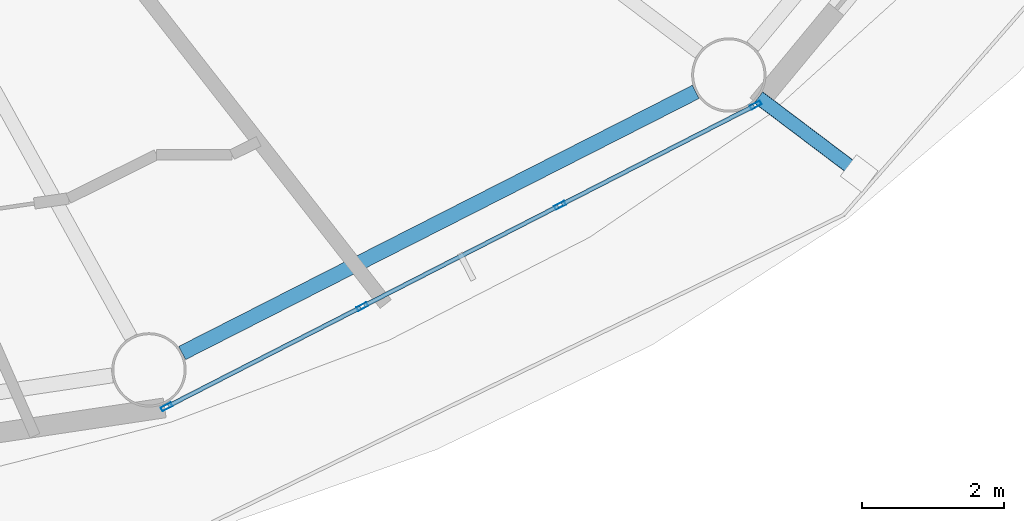
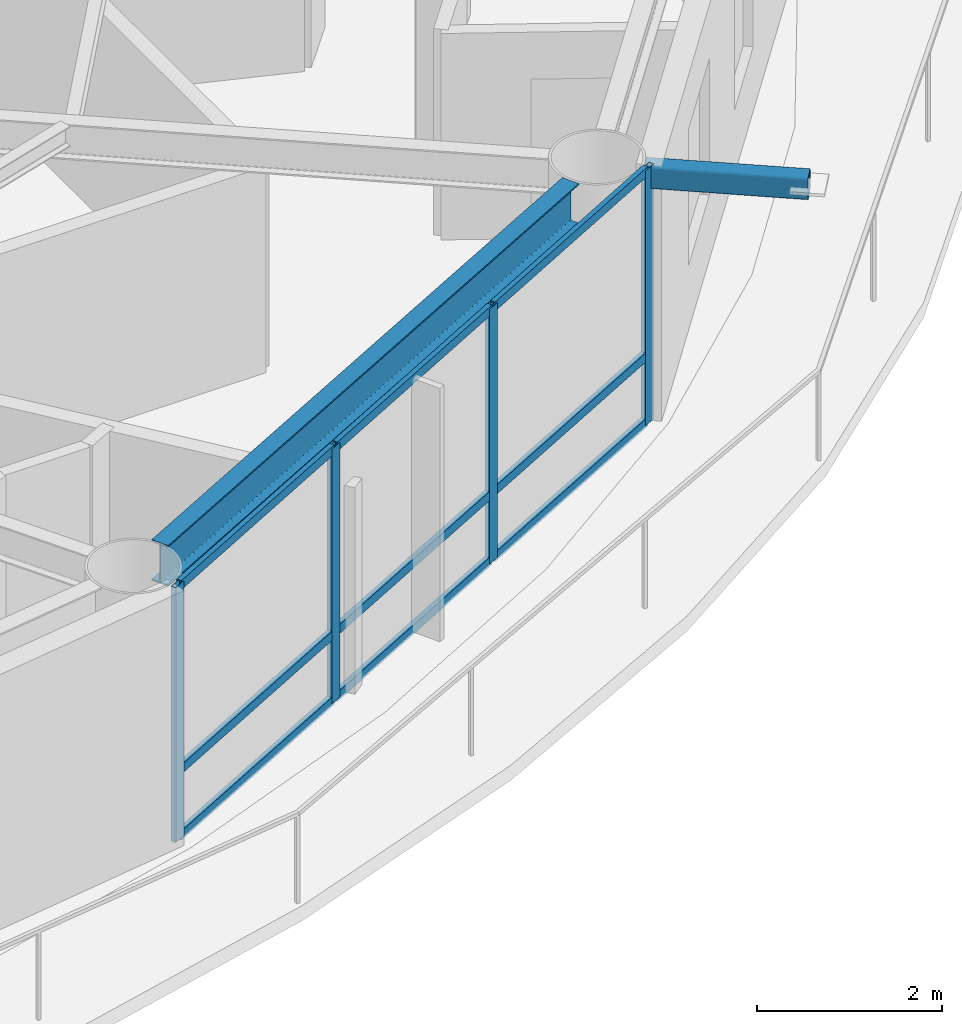
# One storey, part 5 of 23: 14 members, 1 beam, 1 element without a shape of its own.
"""IFC4 building model written with IfcOpenShell, lengths in metres."""

from ifc_helpers import new_model, si_unit, direction, frame, origin, origin_2d, place, context, subcontext, project, spatial, hollow_rectangle, i_section, extrude, material, layer, layer_set, material_profile, profile_set, type_object, element, aggregate, save


model = new_model("IFC4")

# Units and contexts
model_context = context("Model", 3, precision=1e-05, world=origin(), true_north=direction((0.0, 1.0)))
body_context = subcontext(model_context, "Body", "Model", "MODEL_VIEW")
ifc_project = project(units=[si_unit("LENGTHUNIT", "METRE"), si_unit("AREAUNIT", "SQUARE_METRE"), si_unit("VOLUMEUNIT", "CUBIC_METRE"), si_unit("PLANEANGLEUNIT", "RADIAN"), si_unit("MASSUNIT", "GRAM", prefix="KILO")], contexts=[model_context])

# Site, building, storey
site_placement = place(None, origin())
site = spatial("IfcSite", under=ifc_project, at=site_placement, CompositionType="ELEMENT")
building_placement = place(site_placement, origin())
building = spatial("IfcBuilding", under=site, at=building_placement, Name="Sarneth Arch Tower", CompositionType="ELEMENT")
storey_placement = place(building_placement, frame((0.0, 0.0, 242.39990234375)))
storey = spatial("IfcBuildingStorey", under=building, at=storey_placement, Name="L62", CompositionType="ELEMENT", Elevation=242.39990234375)

# Beam
ifc_material_1 = material(Name="Steel S355", Category="steel")
ifc_material_profile_1 = material_profile(ifc_material_1, i_section(OverallWidth=0.2109375, OverallDepth=0.5390625, WebThickness=0.01171875, FlangeThickness=0.018798828125, FilletRadius=0.01806640625, at=origin_2d()), Name="W530x109")
ifc_profile_set_1 = profile_set([ifc_material_profile_1], Name="Steel S355")
beam_type = type_object("IfcBeamType", Name="BM-RAD-530B", PredefinedType="BEAM", material=ifc_profile_set_1)
beam_placement = place(storey_placement, frame((58.2587890625, 24.49951171875, 3.090576171875), z_axis=(0.891368271482, 0.453279830342, 0.0), x_axis=(-0.453279830342, 0.891368271482, 0.0)))
element("IfcBeam", 1, at=beam_placement, inside=storey, type_object=beam_type, Name="L62 Perimeter spandrel beam 14", PredefinedType="BEAM", context=body_context, shape_type="SweptSolid", body=[
    extrude(i_section(OverallWidth=0.2109375, OverallDepth=0.5390625, WebThickness=0.01171875, FlangeThickness=0.018798828125, FilletRadius=0.01806640625, at=origin_2d()), origin(), (0.0, 0.0, 1.0), 8.1318359375),
])

# Curtain wall, members
ifc_material_2 = material(Name="Anodised aluminium Type AA25 and solar-control low-e laminated IGU", Category="aluminium")
ifc_layer = layer(ifc_material_2, 0.179931640625)
ifc_layer_set = layer_set([ifc_layer], Name="Anodised aluminium Type AA25 and solar-control low-e laminated IGU")
curtain_wall_type = type_object("IfcCurtainWallType", Name="CW-RES-HIGH", PredefinedType="NOTDEFINED", material=ifc_layer_set)
curtain_wall_placement = place(storey_placement, origin())
curtain_wall = element("IfcCurtainWall", 2, at=curtain_wall_placement, inside=storey, type_object=curtain_wall_type, Name="L62 Unitised curtain wall facet 14", PredefinedType="NOTDEFINED")
ifc_material_3 = material(Name="Anodised Aluminium 6063-T6", Category="aluminium")
ifc_material_profile_2 = material_profile(ifc_material_3, hollow_rectangle(XDim=0.06005859375, YDim=0.159912109375, WallThickness=0.00390625, at=origin_2d()), Name="AL-MULL-160x60x4")
ifc_profile_set_2 = profile_set([ifc_material_profile_2], Name="Anodised Aluminium 6063-T6")
member_type_1 = type_object("IfcMemberType", Name="CW-MULLION", PredefinedType="MULLION", material=ifc_profile_set_2)
member_1_placement = place(storey_placement, frame((58.039306640625, 23.7392578125, 0.0), z_axis=(0.0, 0.0, 1.0), x_axis=(-0.455941901753, 0.890009540525, 0.0)))
member_1 = element("IfcMember", 3, at=member_1_placement, type_object=member_type_1, Name="CW-SYS-6 mullion 1", PredefinedType="MULLION", context=body_context, shape_type="SweptSolid", body=[
    extrude(hollow_rectangle(XDim=0.06005859375, YDim=0.159912109375, WallThickness=0.00390625, at=origin_2d()), origin(), (0.0, 0.0, 1.0), 3.360107421875),
])
member_2_placement = place(storey_placement, frame((60.802490234375, 25.155029296875, 0.0), z_axis=(0.0, 0.0, 1.0), x_axis=(-0.455941901753, 0.890009540525, 0.0)))
member_2 = element("IfcMember", 4, at=member_2_placement, type_object=member_type_1, Name="CW-SYS-6 mullion 2", PredefinedType="MULLION", context=body_context, shape_type="SweptSolid", body=[
    extrude(hollow_rectangle(XDim=0.06005859375, YDim=0.159912109375, WallThickness=0.00390625, at=origin_2d()), origin(), (0.0, 0.0, 1.0), 3.360107421875),
])
member_3_placement = place(storey_placement, frame((63.592529296875, 26.584228515625, 0.0), z_axis=(0.0, 0.0, 1.0), x_axis=(-0.455941901753, 0.890009540525, 0.0)))
member_3 = element("IfcMember", 5, at=member_3_placement, type_object=member_type_1, Name="CW-SYS-6 mullion 3", PredefinedType="MULLION", context=body_context, shape_type="SweptSolid", body=[
    extrude(hollow_rectangle(XDim=0.06005859375, YDim=0.159912109375, WallThickness=0.00390625, at=origin_2d()), origin(), (0.0, 0.0, 1.0), 3.360107421875),
])
member_4_placement = place(storey_placement, frame((66.355712890625, 27.999755859375, 0.0), z_axis=(0.0, 0.0, 1.0), x_axis=(-0.455941901753, 0.890009540525, 0.0)))
member_4 = element("IfcMember", 6, at=member_4_placement, type_object=member_type_1, Name="CW-SYS-6 mullion 4", PredefinedType="MULLION", context=body_context, shape_type="SweptSolid", body=[
    extrude(hollow_rectangle(XDim=0.06005859375, YDim=0.159912109375, WallThickness=0.00390625, at=origin_2d()), origin(), (0.0, 0.0, 1.0), 3.360107421875),
])
ifc_material_4 = material(Name="Anodised Aluminium 6063-T6", Category="aluminium")
ifc_material_profile_3 = material_profile(ifc_material_4, hollow_rectangle(XDim=0.06005859375, YDim=0.1201171875, WallThickness=0.00390625, at=origin_2d()), Name="AL-TRAN-120x60x4")
ifc_profile_set_3 = profile_set([ifc_material_profile_3], Name="Anodised Aluminium 6063-T6")
member_type_2 = type_object("IfcMemberType", Name="CW-TRANSOM", PredefinedType="USERDEFINED", material=ifc_profile_set_3)
member_5_placement = place(storey_placement, frame((58.066162109375, 23.7529296875, 0.030029296875), z_axis=(0.889973523166, 0.456012201662, 0.0), x_axis=(-0.456012201662, 0.889973523166, 0.0)))
member_5 = element("IfcMember", 7, at=member_5_placement, type_object=member_type_2, Name="CW-SYS-6 transom 1.1", ObjectType="TRANSOM", PredefinedType="USERDEFINED", context=body_context, shape_type="SweptSolid", body=[
    extrude(hollow_rectangle(XDim=0.06005859375, YDim=0.1201171875, WallThickness=0.00390625, at=origin_2d()), origin(), (0.0, 0.0, 1.0), 3.044677734375),
])
member_6_placement = place(storey_placement, frame((58.066162109375, 23.7529296875, 0.900146484375), z_axis=(0.889973523166, 0.456012201662, 0.0), x_axis=(-0.456012201662, 0.889973523166, 0.0)))
member_6 = element("IfcMember", 8, at=member_6_placement, type_object=member_type_2, Name="CW-SYS-6 transom 1.2", ObjectType="TRANSOM", PredefinedType="USERDEFINED", context=body_context, shape_type="SweptSolid", body=[
    extrude(hollow_rectangle(XDim=0.06005859375, YDim=0.1201171875, WallThickness=0.00390625, at=origin_2d()), origin(), (0.0, 0.0, 1.0), 3.044677734375),
])
member_7_placement = place(storey_placement, frame((58.066162109375, 23.7529296875, 3.330078125), z_axis=(0.889973523166, 0.456012201662, 0.0), x_axis=(-0.456012201662, 0.889973523166, 0.0)))
member_7 = element("IfcMember", 9, at=member_7_placement, type_object=member_type_2, Name="CW-SYS-6 transom 1.3", ObjectType="TRANSOM", PredefinedType="USERDEFINED", context=body_context, shape_type="SweptSolid", body=[
    extrude(hollow_rectangle(XDim=0.06005859375, YDim=0.1201171875, WallThickness=0.00390625, at=origin_2d()), origin(), (0.0, 0.0, 1.0), 3.044677734375),
])
member_8_placement = place(storey_placement, frame((60.829345703125, 25.168701171875, 0.030029296875), z_axis=(0.890017432405, 0.455926496286, 0.0), x_axis=(-0.455926496286, 0.890017432405, 0.0)))
member_8 = element("IfcMember", 10, at=member_8_placement, type_object=member_type_2, Name="CW-SYS-6 transom 2.1", ObjectType="TRANSOM", PredefinedType="USERDEFINED", context=body_context, shape_type="SweptSolid", body=[
    extrude(hollow_rectangle(XDim=0.06005859375, YDim=0.1201171875, WallThickness=0.00390625, at=origin_2d()), origin(), (0.0, 0.0, 1.0), 3.07470703125),
])
member_9_placement = place(storey_placement, frame((60.829345703125, 25.168701171875, 0.900146484375), z_axis=(0.890017432405, 0.455926496286, 0.0), x_axis=(-0.455926496286, 0.890017432405, 0.0)))
member_9 = element("IfcMember", 11, at=member_9_placement, type_object=member_type_2, Name="CW-SYS-6 transom 2.2", ObjectType="TRANSOM", PredefinedType="USERDEFINED", context=body_context, shape_type="SweptSolid", body=[
    extrude(hollow_rectangle(XDim=0.06005859375, YDim=0.1201171875, WallThickness=0.00390625, at=origin_2d()), origin(), (0.0, 0.0, 1.0), 3.07470703125),
])
member_10_placement = place(storey_placement, frame((60.829345703125, 25.168701171875, 3.330078125), z_axis=(0.890017432405, 0.455926496286, 0.0), x_axis=(-0.455926496286, 0.890017432405, 0.0)))
member_10 = element("IfcMember", 12, at=member_10_placement, type_object=member_type_2, Name="CW-SYS-6 transom 2.3", ObjectType="TRANSOM", PredefinedType="USERDEFINED", context=body_context, shape_type="SweptSolid", body=[
    extrude(hollow_rectangle(XDim=0.06005859375, YDim=0.1201171875, WallThickness=0.00390625, at=origin_2d()), origin(), (0.0, 0.0, 1.0), 3.07470703125),
])
member_11_placement = place(storey_placement, frame((63.619140625, 26.597900390625, 0.030029296875), z_axis=(0.890022732705, 0.455916149384, 0.0), x_axis=(-0.455916149384, 0.890022732705, 0.0)))
member_11 = element("IfcMember", 13, at=member_11_placement, type_object=member_type_2, Name="CW-SYS-6 transom 3.1", ObjectType="TRANSOM", PredefinedType="USERDEFINED", context=body_context, shape_type="SweptSolid", body=[
    extrude(hollow_rectangle(XDim=0.06005859375, YDim=0.1201171875, WallThickness=0.00390625, at=origin_2d()), origin(), (0.0, 0.0, 1.0), 3.044921875),
])
member_12_placement = place(storey_placement, frame((63.619140625, 26.597900390625, 0.900146484375), z_axis=(0.890022732705, 0.455916149384, 0.0), x_axis=(-0.455916149384, 0.890022732705, 0.0)))
member_12 = element("IfcMember", 14, at=member_12_placement, type_object=member_type_2, Name="CW-SYS-6 transom 3.2", ObjectType="TRANSOM", PredefinedType="USERDEFINED", context=body_context, shape_type="SweptSolid", body=[
    extrude(hollow_rectangle(XDim=0.06005859375, YDim=0.1201171875, WallThickness=0.00390625, at=origin_2d()), origin(), (0.0, 0.0, 1.0), 3.044921875),
])
member_13_placement = place(storey_placement, frame((63.619140625, 26.597900390625, 3.330078125), z_axis=(0.890022732705, 0.455916149384, 0.0), x_axis=(-0.455916149384, 0.890022732705, 0.0)))
member_13 = element("IfcMember", 15, at=member_13_placement, type_object=member_type_2, Name="CW-SYS-6 transom 3.3", ObjectType="TRANSOM", PredefinedType="USERDEFINED", context=body_context, shape_type="SweptSolid", body=[
    extrude(hollow_rectangle(XDim=0.06005859375, YDim=0.1201171875, WallThickness=0.00390625, at=origin_2d()), origin(), (0.0, 0.0, 1.0), 3.044921875),
])
aggregate(curtain_wall, [member_1, member_2, member_3, member_4, member_5, member_6, member_7, member_8, member_9, member_10, member_11, member_12, member_13])

# Member
ifc_material_5 = material(Name="Steel S355", Category="steel")
ifc_material_profile_4 = material_profile(ifc_material_5, hollow_rectangle(XDim=0.199951171875, YDim=0.300048828125, WallThickness=0.012451171875, InnerFilletRadius=0.018798828125, OuterFilletRadius=0.03125, at=origin_2d()), Name="RHS300x200x12.5")
ifc_profile_set_4 = profile_set([ifc_material_profile_4], Name="Steel S355")
member_type_3 = type_object("IfcMemberType", Name="MEM-CANT-STRUT", PredefinedType="STRUT", material=ifc_profile_set_4)
member_14_placement = place(storey_placement, frame((66.39404296875, 28.107177734375, 3.2001953125), z_axis=(0.79800504026, -0.602650774263, 0.0), x_axis=(0.602650774263, 0.79800504026, 0.0)))
element("IfcMember", 16, at=member_14_placement, inside=storey, type_object=member_type_3, Name="L62 Balcony cantilever bracket 15", PredefinedType="STRUT", context=body_context, shape_type="SweptSolid", body=[
    extrude(hollow_rectangle(XDim=0.199951171875, YDim=0.300048828125, WallThickness=0.012451171875, InnerFilletRadius=0.018798828125, OuterFilletRadius=0.03125, at=origin_2d()), origin(), (0.0, 0.0, 1.0), 1.78076171875),
])

save(model, "model.ifc")
